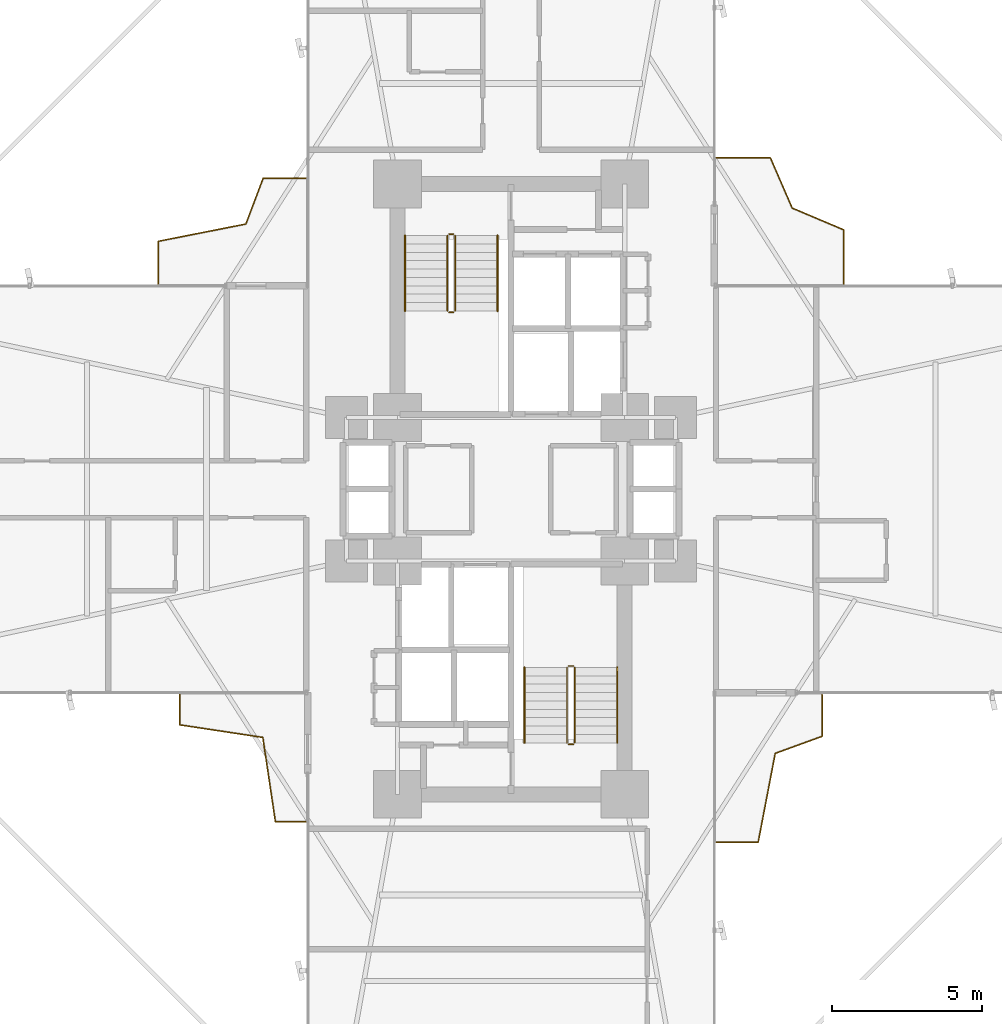
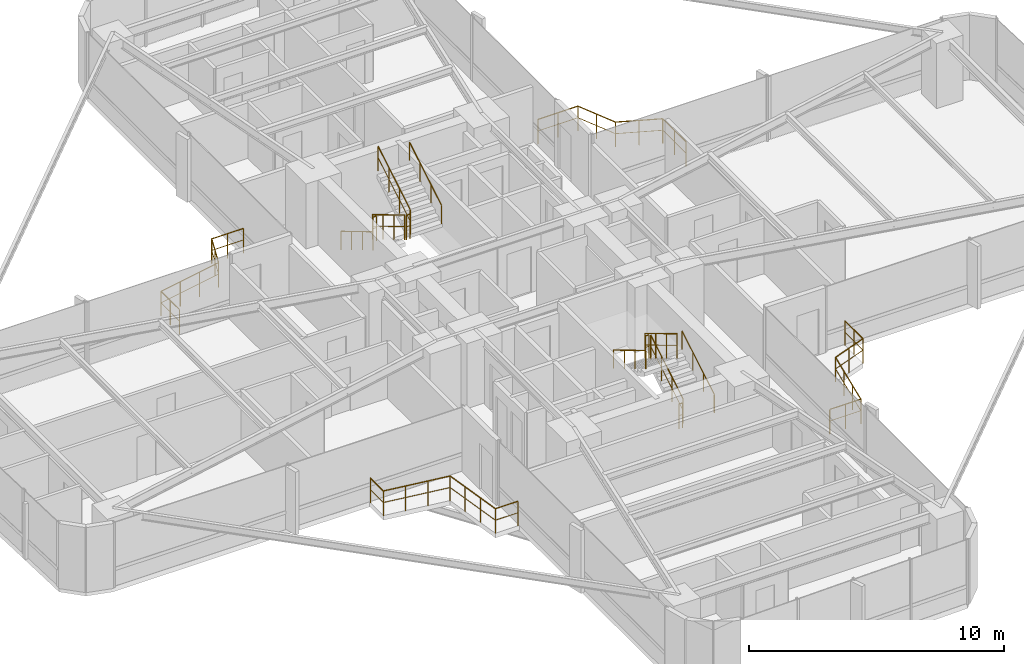
# One storey, part 26 of 26: 16 railings.
"""IFC4 building model written with IfcOpenShell, lengths in metres."""

from ifc_helpers import new_model, si_unit, direction, frame, origin, origin_2d, place, context, subcontext, project, spatial, circle, extrude, material, type_object, element, save


model = new_model("IFC4")

# Units and contexts
model_context = context("Model", 3, precision=1e-05, world=origin(), true_north=direction((0.0, 1.0)))
body_context = subcontext(model_context, "Body", "Model", "MODEL_VIEW")
ifc_project = project(units=[si_unit("LENGTHUNIT", "METRE"), si_unit("AREAUNIT", "SQUARE_METRE"), si_unit("VOLUMEUNIT", "CUBIC_METRE"), si_unit("PLANEANGLEUNIT", "RADIAN"), si_unit("MASSUNIT", "GRAM", prefix="KILO")], contexts=[model_context])

# Site, building, storey
site_placement = place(None, origin())
site = spatial("IfcSite", under=ifc_project, at=site_placement, CompositionType="ELEMENT")
building_placement = place(site_placement, origin())
building = spatial("IfcBuilding", under=site, at=building_placement, Name="Sahyath Konkavel Grand Hotel", CompositionType="ELEMENT")
storey_placement = place(building_placement, frame((0.0, 0.0, 29.800048828125)))
storey = spatial("IfcBuildingStorey", under=building, at=storey_placement, Name="L07", CompositionType="ELEMENT", Elevation=29.800048828125)

# Railings
ifc_material_1 = material(Name="Anodised Bronze Aluminium", Category="aluminium")
railing_type_1 = type_object("IfcRailingType", Name="RLG-BALC-1200", PredefinedType="GUARDRAIL", material=ifc_material_1)
railing_1_placement = place(storey_placement, frame((11.1220703125, 6.860107421875, 0.0)))
element("IfcRailing", 1, at=railing_1_placement, inside=storey, type_object=railing_type_1, Name="L07 Winter-Garden Guard NE", PredefinedType="GUARDRAIL", context=body_context, shape_type="SweptSolid", body=[
    extrude(circle(Radius=0.02392578125, at=origin_2d()), frame((0.0, 0.001953125, 1.17578125), z_axis=(0.0, 1.0, 0.0), x_axis=(-1.0, 0.0, 0.0)), (0.0, 0.0, 1.0), 1.80810546875),
    extrude(circle(Radius=0.01416015625, at=origin_2d()), frame((0.0, 0.001953125, 0.6240234375), z_axis=(0.0, 1.0, 0.0), x_axis=(-1.0, 0.0, 0.0)), (0.0, 0.0, 1.0), 1.80810546875),
    extrude(circle(Radius=0.02392578125, at=origin_2d()), frame((-0.001953125, 1.812744140625, 1.17578125), z_axis=(-0.921125773801, 0.389265088134, 0.0), x_axis=(-0.389265088134, -0.921125773801, 0.0)), (0.0, 0.0, 1.0), 1.86572265625),
    extrude(circle(Radius=0.01416015625, at=origin_2d()), frame((-0.001953125, 1.812744140625, 0.6240234375), z_axis=(-0.921125773801, 0.389265088134, 0.0), x_axis=(-0.389265088134, -0.921125773801, 0.0)), (0.0, 0.0, 1.0), 1.86572265625),
    extrude(circle(Radius=0.02392578125, at=origin_2d()), frame((-1.722900390625, 2.541748046875, 1.17578125), z_axis=(-0.397910841595, 0.91742409067, 0.0), x_axis=(-0.91742409067, -0.397910841595, 0.0)), (0.0, 0.0, 1.0), 1.824951171875),
    extrude(circle(Radius=0.01416015625, at=origin_2d()), frame((-1.722900390625, 2.541748046875, 0.6240234375), z_axis=(-0.397910841595, 0.91742409067, 0.0), x_axis=(-0.91742409067, -0.397910841595, 0.0)), (0.0, 0.0, 1.0), 1.824951171875),
    extrude(circle(Radius=0.02392578125, at=origin_2d()), frame((-2.451904296875, 4.2177734375, 1.17578125), z_axis=(-1.0, 0.0, 0.0), x_axis=(0.0, -1.0, 0.0)), (0.0, 0.0, 1.0), 1.80810546875),
    extrude(circle(Radius=0.01416015625, at=origin_2d()), frame((-2.451904296875, 4.2177734375, 0.6240234375), z_axis=(-1.0, 0.0, 0.0), x_axis=(0.0, -1.0, 0.0)), (0.0, 0.0, 1.0), 1.80810546875),
    extrude(circle(Radius=0.02099609375, at=origin_2d()), origin(), (0.0, 0.0, 1.0), 1.15185546875),
    extrude(circle(Radius=0.02099609375, at=origin_2d()), frame((0.0, 0.906005859375, 0.0)), (0.0, 0.0, 1.0), 1.15185546875),
    extrude(circle(Radius=0.02099609375, at=origin_2d()), frame((0.0, 1.81201171875, 0.0)), (0.0, 0.0, 1.0), 1.15185546875),
    extrude(circle(Radius=0.02099609375, at=origin_2d()), frame((-0.861083984375, 2.17578125, 0.0)), (0.0, 0.0, 1.0), 1.15185546875),
    extrude(circle(Radius=0.02099609375, at=origin_2d()), frame((-1.72216796875, 2.539794921875, 0.0)), (0.0, 0.0, 1.0), 1.15185546875),
    extrude(circle(Radius=0.02099609375, at=origin_2d()), frame((-2.0859375, 3.37890625, 0.0)), (0.0, 0.0, 1.0), 1.15185546875),
    extrude(circle(Radius=0.02099609375, at=origin_2d()), frame((-2.449951171875, 4.2177734375, 0.0)), (0.0, 0.0, 1.0), 1.15185546875),
    extrude(circle(Radius=0.02099609375, at=origin_2d()), frame((-3.35595703125, 4.2177734375, 0.0)), (0.0, 0.0, 1.0), 1.15185546875),
    extrude(circle(Radius=0.02099609375, at=origin_2d()), frame((-4.261962890625, 4.2177734375, 0.0)), (0.0, 0.0, 1.0), 1.15185546875),
])
railing_2_placement = place(storey_placement, frame((-6.860107421875, 10.39990234375, 0.0)))
element("IfcRailing", 2, at=railing_2_placement, inside=storey, type_object=railing_type_1, Name="L07 Winter-Garden Guard NW", PredefinedType="GUARDRAIL", context=body_context, shape_type="SweptSolid", body=[
    extrude(circle(Radius=0.02392578125, at=origin_2d()), frame((-0.001953125, 0.0, 1.17578125), z_axis=(-1.0, 0.0, 0.0), x_axis=(0.0, -1.0, 0.0)), (0.0, 0.0, 1.0), 1.424072265625),
    extrude(circle(Radius=0.01416015625, at=origin_2d()), frame((-0.001953125, 0.0, 0.6240234375), z_axis=(-1.0, 0.0, 0.0), x_axis=(0.0, -1.0, 0.0)), (0.0, 0.0, 1.0), 1.424072265625),
    extrude(circle(Radius=0.02392578125, at=origin_2d()), frame((-1.4287109375, -0.001953125, 1.17578125), z_axis=(-0.35326148787, -0.935524623507, 0.0), x_axis=(0.935524623507, -0.35326148787, 0.0)), (0.0, 0.0, 1.0), 1.634521484375),
    extrude(circle(Radius=0.01416015625, at=origin_2d()), frame((-1.4287109375, -0.001953125, 0.6240234375), z_axis=(-0.35326148787, -0.935524623507, 0.0), x_axis=(0.935524623507, -0.35326148787, 0.0)), (0.0, 0.0, 1.0), 1.634521484375),
    extrude(circle(Radius=0.02392578125, at=origin_2d()), frame((-2.0087890625, -1.533447265625, 1.17578125), z_axis=(-0.981076885833, -0.193618553047, 0.0), x_axis=(0.193618553047, -0.981076885833, 0.0)), (0.0, 0.0, 1.0), 2.985595703125),
    extrude(circle(Radius=0.01416015625, at=origin_2d()), frame((-2.0087890625, -1.533447265625, 0.6240234375), z_axis=(-0.981076885833, -0.193618553047, 0.0), x_axis=(0.193618553047, -0.981076885833, 0.0)), (0.0, 0.0, 1.0), 2.985595703125),
    extrude(circle(Radius=0.02392578125, at=origin_2d()), frame((-4.93994140625, -2.11376953125, 1.17578125), z_axis=(0.0, -1.0, 0.0), x_axis=(1.0, 0.0, 0.0)), (0.0, 0.0, 1.0), 1.424072265625),
    extrude(circle(Radius=0.01416015625, at=origin_2d()), frame((-4.93994140625, -2.11376953125, 0.6240234375), z_axis=(0.0, -1.0, 0.0), x_axis=(1.0, 0.0, 0.0)), (0.0, 0.0, 1.0), 1.424072265625),
    extrude(circle(Radius=0.02099609375, at=origin_2d()), origin(), (0.0, 0.0, 1.0), 1.15185546875),
    extrude(circle(Radius=0.02099609375, at=origin_2d()), frame((-0.7138671875, 0.0, 0.0)), (0.0, 0.0, 1.0), 1.15185546875),
    extrude(circle(Radius=0.02099609375, at=origin_2d()), frame((-1.427978515625, 0.0, 0.0)), (0.0, 0.0, 1.0), 1.15185546875),
    extrude(circle(Radius=0.02099609375, at=origin_2d()), frame((-1.71728515625, -0.7666015625, 0.0)), (0.0, 0.0, 1.0), 1.15185546875),
    extrude(circle(Radius=0.02099609375, at=origin_2d()), frame((-2.0068359375, -1.532958984375, 0.0)), (0.0, 0.0, 1.0), 1.15185546875),
    extrude(circle(Radius=0.02099609375, at=origin_2d()), frame((-2.984619140625, -1.725830078125, 0.0)), (0.0, 0.0, 1.0), 1.15185546875),
    extrude(circle(Radius=0.02099609375, at=origin_2d()), frame((-3.962158203125, -1.9189453125, 0.0)), (0.0, 0.0, 1.0), 1.15185546875),
    extrude(circle(Radius=0.02099609375, at=origin_2d()), frame((-4.93994140625, -2.11181640625, 0.0)), (0.0, 0.0, 1.0), 1.15185546875),
    extrude(circle(Radius=0.02099609375, at=origin_2d()), frame((-4.93994140625, -2.82568359375, 0.0)), (0.0, 0.0, 1.0), 1.15185546875),
    extrude(circle(Radius=0.02099609375, at=origin_2d()), frame((-4.93994140625, -3.539794921875, 0.0)), (0.0, 0.0, 1.0), 1.15185546875),
])
railing_3_placement = place(storey_placement, frame((-11.077880859375, -6.860107421875, 0.0)))
element("IfcRailing", 3, at=railing_3_placement, inside=storey, type_object=railing_type_1, Name="L07 Winter-Garden Guard SW", PredefinedType="GUARDRAIL", context=body_context, shape_type="SweptSolid", body=[
    extrude(circle(Radius=0.02392578125, at=origin_2d()), frame((0.0, -0.001953125, 1.17578125), z_axis=(0.0, -1.0, 0.0), x_axis=(1.0, 0.0, 0.0)), (0.0, 0.0, 1.0), 1.015869140625),
    extrude(circle(Radius=0.01416015625, at=origin_2d()), frame((0.0, -0.001953125, 0.6240234375), z_axis=(0.0, -1.0, 0.0), x_axis=(1.0, 0.0, 0.0)), (0.0, 0.0, 1.0), 1.015869140625),
    extrude(circle(Radius=0.02392578125, at=origin_2d()), frame((0.001953125, -1.02001953125, 1.17578125), z_axis=(0.988753306372, -0.149555672373, 0.0), x_axis=(0.149555672373, 0.988753306372, 0.0)), (0.0, 0.0, 1.0), 2.805419921875),
    extrude(circle(Radius=0.01416015625, at=origin_2d()), frame((0.001953125, -1.02001953125, 0.6240234375), z_axis=(0.988753306372, -0.149555672373, 0.0), x_axis=(0.149555672373, 0.988753306372, 0.0)), (0.0, 0.0, 1.0), 2.805419921875),
    extrude(circle(Radius=0.02392578125, at=origin_2d()), frame((2.778076171875, -1.44189453125, 1.17578125), z_axis=(0.147264993872, -0.989097073891, 0.0), x_axis=(0.989097073891, 0.147264993872, 0.0)), (0.0, 0.0, 1.0), 2.84912109375),
    extrude(circle(Radius=0.01416015625, at=origin_2d()), frame((2.778076171875, -1.44189453125, 0.6240234375), z_axis=(0.147264993872, -0.989097073891, 0.0), x_axis=(0.989097073891, 0.147264993872, 0.0)), (0.0, 0.0, 1.0), 2.84912109375),
    extrude(circle(Radius=0.02392578125, at=origin_2d()), frame((3.199951171875, -4.261962890625, 1.17578125), z_axis=(1.0, 0.0, 0.0), x_axis=(0.0, 1.0, 0.0)), (0.0, 0.0, 1.0), 1.015869140625),
    extrude(circle(Radius=0.01416015625, at=origin_2d()), frame((3.199951171875, -4.261962890625, 0.6240234375), z_axis=(1.0, 0.0, 0.0), x_axis=(0.0, 1.0, 0.0)), (0.0, 0.0, 1.0), 1.015869140625),
    extrude(circle(Radius=0.02099609375, at=origin_2d()), origin(), (0.0, 0.0, 1.0), 1.15185546875),
    extrude(circle(Radius=0.02099609375, at=origin_2d()), frame((0.0, -1.019775390625, 0.0)), (0.0, 0.0, 1.0), 1.15185546875),
    extrude(circle(Radius=0.02099609375, at=origin_2d()), frame((0.926025390625, -1.159912109375, 0.0)), (0.0, 0.0, 1.0), 1.15185546875),
    extrude(circle(Radius=0.02099609375, at=origin_2d()), frame((1.851806640625, -1.2998046875, 0.0)), (0.0, 0.0, 1.0), 1.15185546875),
    extrude(circle(Radius=0.02099609375, at=origin_2d()), frame((2.77783203125, -1.43994140625, 0.0)), (0.0, 0.0, 1.0), 1.15185546875),
    extrude(circle(Radius=0.02099609375, at=origin_2d()), frame((2.91796875, -2.380615234375, 0.0)), (0.0, 0.0, 1.0), 1.15185546875),
    extrude(circle(Radius=0.02099609375, at=origin_2d()), frame((3.057861328125, -3.3212890625, 0.0)), (0.0, 0.0, 1.0), 1.15185546875),
    extrude(circle(Radius=0.02099609375, at=origin_2d()), frame((3.197998046875, -4.261962890625, 0.0)), (0.0, 0.0, 1.0), 1.15185546875),
    extrude(circle(Radius=0.02099609375, at=origin_2d()), frame((4.2177734375, -4.261962890625, 0.0)), (0.0, 0.0, 1.0), 1.15185546875),
])
railing_4_placement = place(storey_placement, frame((6.860107421875, -11.800048828125, 0.0)))
element("IfcRailing", 4, at=railing_4_placement, inside=storey, type_object=railing_type_1, Name="L07 Winter-Garden Guard SE", PredefinedType="GUARDRAIL", context=body_context, shape_type="SweptSolid", body=[
    extrude(circle(Radius=0.02392578125, at=origin_2d()), frame((0.001953125, 0.0, 1.17578125), z_axis=(1.0, 0.0, 0.0), x_axis=(0.0, 1.0, 0.0)), (0.0, 0.0, 1.0), 1.39990234375),
    extrude(circle(Radius=0.01416015625, at=origin_2d()), frame((0.001953125, 0.0, 0.6240234375), z_axis=(1.0, 0.0, 0.0), x_axis=(0.0, 1.0, 0.0)), (0.0, 0.0, 1.0), 1.39990234375),
    extrude(circle(Radius=0.02392578125, at=origin_2d()), frame((1.404296875, 0.001953125, 1.17578125), z_axis=(0.188370804623, 0.982097978801, 0.0), x_axis=(-0.982097978801, 0.188370804623, 0.0)), (0.0, 0.0, 1.0), 3.01708984375),
    extrude(circle(Radius=0.01416015625, at=origin_2d()), frame((1.404296875, 0.001953125, 0.6240234375), z_axis=(0.188370804623, 0.982097978801, 0.0), x_axis=(-0.982097978801, 0.188370804623, 0.0)), (0.0, 0.0, 1.0), 3.01708984375),
    extrude(circle(Radius=0.02392578125, at=origin_2d()), frame((1.974853515625, 2.9677734375, 1.17578125), z_axis=(0.939925907461, 0.341378512043, 0.0), x_axis=(-0.341378512043, 0.939925907461, 0.0)), (0.0, 0.0, 1.0), 1.6630859375),
    extrude(circle(Radius=0.01416015625, at=origin_2d()), frame((1.974853515625, 2.9677734375, 0.6240234375), z_axis=(0.939925907461, 0.341378512043, 0.0), x_axis=(-0.341378512043, 0.939925907461, 0.0)), (0.0, 0.0, 1.0), 1.6630859375),
    extrude(circle(Radius=0.02392578125, at=origin_2d()), frame((3.539794921875, 3.5380859375, 1.17578125), z_axis=(0.0, 1.0, 0.0), x_axis=(-1.0, 0.0, 0.0)), (0.0, 0.0, 1.0), 1.39990234375),
    extrude(circle(Radius=0.01416015625, at=origin_2d()), frame((3.539794921875, 3.5380859375, 0.6240234375), z_axis=(0.0, 1.0, 0.0), x_axis=(-1.0, 0.0, 0.0)), (0.0, 0.0, 1.0), 1.39990234375),
    extrude(circle(Radius=0.02099609375, at=origin_2d()), origin(), (0.0, 0.0, 1.0), 1.15185546875),
    extrude(circle(Radius=0.02099609375, at=origin_2d()), frame((0.701904296875, 0.0, 0.0)), (0.0, 0.0, 1.0), 1.15185546875),
    extrude(circle(Radius=0.02099609375, at=origin_2d()), frame((1.40380859375, 0.0, 0.0)), (0.0, 0.0, 1.0), 1.15185546875),
    extrude(circle(Radius=0.02099609375, at=origin_2d()), frame((1.593505859375, 0.989013671875, 0.0)), (0.0, 0.0, 1.0), 1.15185546875),
    extrude(circle(Radius=0.02099609375, at=origin_2d()), frame((1.783203125, 1.97802734375, 0.0)), (0.0, 0.0, 1.0), 1.15185546875),
    extrude(circle(Radius=0.02099609375, at=origin_2d()), frame((1.972900390625, 2.967041015625, 0.0)), (0.0, 0.0, 1.0), 1.15185546875),
    extrude(circle(Radius=0.02099609375, at=origin_2d()), frame((2.75634765625, 3.25146484375, 0.0)), (0.0, 0.0, 1.0), 1.15185546875),
    extrude(circle(Radius=0.02099609375, at=origin_2d()), frame((3.539794921875, 3.5361328125, 0.0)), (0.0, 0.0, 1.0), 1.15185546875),
    extrude(circle(Radius=0.02099609375, at=origin_2d()), frame((3.539794921875, 4.238037109375, 0.0)), (0.0, 0.0, 1.0), 1.15185546875),
    extrude(circle(Radius=0.02099609375, at=origin_2d()), frame((3.539794921875, 4.93994140625, 0.0)), (0.0, 0.0, 1.0), 1.15185546875),
])
ifc_material_2 = material(Name="Steel E350", Category="steel")
railing_type_2 = type_object("IfcRailingType", Name="RLG-STAIR-GRD", PredefinedType="GUARDRAIL", material=ifc_material_2)
railing_5_placement = place(storey_placement, frame((-2.1298828125, 8.47998046875, 0.16748046875)))
element("IfcRailing", 5, at=railing_5_placement, inside=storey, type_object=railing_type_2, Name="L07 ST-1 stair guard 1", PredefinedType="GUARDRAIL", context=body_context, shape_type="SweptSolid", body=[
    extrude(circle(Radius=0.02392578125, at=origin_2d()), frame((0.0, -0.001708984375, 1.177001953125), z_axis=(0.0, -0.858159760407, 0.513382728203), x_axis=(1.0, 0.0, 0.0)), (0.0, 0.0, 1.0), 2.9326171875),
    extrude(circle(Radius=0.01416015625, at=origin_2d()), frame((0.0, -0.001708984375, 0.625), z_axis=(0.0, -0.858159760407, 0.513382728203), x_axis=(1.0, 0.0, 0.0)), (0.0, 0.0, 1.0), 2.9326171875),
    extrude(circle(Radius=0.02099609375, at=origin_2d()), origin(), (0.0, 0.0, 1.0), 1.15185546875),
    extrude(circle(Radius=0.02099609375, at=origin_2d()), frame((0.0, -0.840087890625, 0.50244140625)), (0.0, 0.0, 1.0), 1.15185546875),
    extrude(circle(Radius=0.02099609375, at=origin_2d()), frame((0.0, -1.679931640625, 1.005126953125)), (0.0, 0.0, 1.0), 1.15185546875),
    extrude(circle(Radius=0.02099609375, at=origin_2d()), frame((0.0, -2.52001953125, 1.507568359375)), (0.0, 0.0, 1.0), 1.15185546875),
])
railing_6_placement = place(storey_placement, frame((-2.080078125, 5.909912109375, 1.675048828125)))
element("IfcRailing", 6, at=railing_6_placement, inside=storey, type_object=railing_type_2, Name="L07 ST-1 stair guard 2", PredefinedType="GUARDRAIL", context=body_context, shape_type="SweptSolid", body=[
    extrude(circle(Radius=0.02392578125, at=origin_2d()), frame((0.001953125, 0.0, 1.17578125), z_axis=(1.0, 0.0, 0.0), x_axis=(0.0, 1.0, 0.0)), (0.0, 0.0, 1.0), 0.15625),
    extrude(circle(Radius=0.01416015625, at=origin_2d()), frame((0.001953125, 0.0, 0.6240234375), z_axis=(1.0, 0.0, 0.0), x_axis=(0.0, 1.0, 0.0)), (0.0, 0.0, 1.0), 0.15625),
    extrude(circle(Radius=0.02099609375, at=origin_2d()), origin(), (0.0, 0.0, 1.0), 1.15185546875),
    extrude(circle(Radius=0.02099609375, at=origin_2d()), frame((0.16015625, 0.0, 0.0)), (0.0, 0.0, 1.0), 1.15185546875),
])
railing_7_placement = place(storey_placement, frame((-1.8701171875, 5.9599609375, 1.842529296875)))
element("IfcRailing", 7, at=railing_7_placement, inside=storey, type_object=railing_type_2, Name="L07 ST-1 stair guard 3", PredefinedType="GUARDRAIL", context=body_context, shape_type="SweptSolid", body=[
    extrude(circle(Radius=0.02392578125, at=origin_2d()), frame((0.0, 0.001708984375, 1.177001953125), z_axis=(0.0, 0.858196387827, 0.513321497621), x_axis=(-1.0, 0.0, 0.0)), (0.0, 0.0, 1.0), 2.932373046875),
    extrude(circle(Radius=0.01416015625, at=origin_2d()), frame((0.0, 0.001708984375, 0.625), z_axis=(0.0, 0.858196387827, 0.513321497621), x_axis=(-1.0, 0.0, 0.0)), (0.0, 0.0, 1.0), 2.932373046875),
    extrude(circle(Radius=0.02099609375, at=origin_2d()), origin(), (0.0, 0.0, 1.0), 1.15185546875),
    extrude(circle(Radius=0.02099609375, at=origin_2d()), frame((0.0, 0.840087890625, 0.50244140625)), (0.0, 0.0, 1.0), 1.15185546875),
    extrude(circle(Radius=0.02099609375, at=origin_2d()), frame((0.0, 1.679931640625, 1.0048828125)), (0.0, 0.0, 1.0), 1.15185546875),
    extrude(circle(Radius=0.02099609375, at=origin_2d()), frame((0.0, 2.52001953125, 1.50732421875)), (0.0, 0.0, 1.0), 1.15185546875),
])
railing_8_placement = place(storey_placement, frame((-2.080078125, 8.530029296875, 0.0)))
element("IfcRailing", 8, at=railing_8_placement, inside=storey, type_object=railing_type_2, Name="L07 ST-1 stair guard 4", PredefinedType="GUARDRAIL", context=body_context, shape_type="SweptSolid", body=[
    extrude(circle(Radius=0.02392578125, at=origin_2d()), frame((0.001953125, 0.0, 1.17578125), z_axis=(1.0, 0.0, 0.0), x_axis=(0.0, 1.0, 0.0)), (0.0, 0.0, 1.0), 0.15625),
    extrude(circle(Radius=0.01416015625, at=origin_2d()), frame((0.001953125, 0.0, 0.6240234375), z_axis=(1.0, 0.0, 0.0), x_axis=(0.0, 1.0, 0.0)), (0.0, 0.0, 1.0), 0.15625),
    extrude(circle(Radius=0.02099609375, at=origin_2d()), origin(), (0.0, 0.0, 1.0), 1.15185546875),
    extrude(circle(Radius=0.02099609375, at=origin_2d()), frame((0.16015625, 0.0, 0.0)), (0.0, 0.0, 1.0), 1.15185546875),
])
railing_9_placement = place(storey_placement, frame((2.1298828125, -8.47998046875, 0.16748046875)))
element("IfcRailing", 9, at=railing_9_placement, inside=storey, type_object=railing_type_2, Name="L07 ST-2 stair guard 1", PredefinedType="GUARDRAIL", context=body_context, shape_type="SweptSolid", body=[
    extrude(circle(Radius=0.02392578125, at=origin_2d()), frame((0.0, 0.001708984375, 1.177001953125), z_axis=(0.0, 0.858159760407, 0.513382728203), x_axis=(-1.0, 0.0, 0.0)), (0.0, 0.0, 1.0), 2.9326171875),
    extrude(circle(Radius=0.01416015625, at=origin_2d()), frame((0.0, 0.001708984375, 0.625), z_axis=(0.0, 0.858159760407, 0.513382728203), x_axis=(-1.0, 0.0, 0.0)), (0.0, 0.0, 1.0), 2.9326171875),
    extrude(circle(Radius=0.02099609375, at=origin_2d()), origin(), (0.0, 0.0, 1.0), 1.15185546875),
    extrude(circle(Radius=0.02099609375, at=origin_2d()), frame((0.0, 0.840087890625, 0.50244140625)), (0.0, 0.0, 1.0), 1.15185546875),
    extrude(circle(Radius=0.02099609375, at=origin_2d()), frame((0.0, 1.679931640625, 1.005126953125)), (0.0, 0.0, 1.0), 1.15185546875),
    extrude(circle(Radius=0.02099609375, at=origin_2d()), frame((0.0, 2.52001953125, 1.507568359375)), (0.0, 0.0, 1.0), 1.15185546875),
])
railing_10_placement = place(storey_placement, frame((2.080078125, -5.909912109375, 1.675048828125)))
element("IfcRailing", 10, at=railing_10_placement, inside=storey, type_object=railing_type_2, Name="L07 ST-2 stair guard 2", PredefinedType="GUARDRAIL", context=body_context, shape_type="SweptSolid", body=[
    extrude(circle(Radius=0.02392578125, at=origin_2d()), frame((-0.001953125, 0.0, 1.17578125), z_axis=(-1.0, 0.0, 0.0), x_axis=(0.0, -1.0, 0.0)), (0.0, 0.0, 1.0), 0.15625),
    extrude(circle(Radius=0.01416015625, at=origin_2d()), frame((-0.001953125, 0.0, 0.6240234375), z_axis=(-1.0, 0.0, 0.0), x_axis=(0.0, -1.0, 0.0)), (0.0, 0.0, 1.0), 0.15625),
    extrude(circle(Radius=0.02099609375, at=origin_2d()), origin(), (0.0, 0.0, 1.0), 1.15185546875),
    extrude(circle(Radius=0.02099609375, at=origin_2d()), frame((-0.16015625, 0.0, 0.0)), (0.0, 0.0, 1.0), 1.15185546875),
])
railing_11_placement = place(storey_placement, frame((1.8701171875, -5.9599609375, 1.842529296875)))
element("IfcRailing", 11, at=railing_11_placement, inside=storey, type_object=railing_type_2, Name="L07 ST-2 stair guard 3", PredefinedType="GUARDRAIL", context=body_context, shape_type="SweptSolid", body=[
    extrude(circle(Radius=0.02392578125, at=origin_2d()), frame((0.0, -0.001708984375, 1.177001953125), z_axis=(0.0, -0.858196387827, 0.513321497621), x_axis=(1.0, 0.0, 0.0)), (0.0, 0.0, 1.0), 2.932373046875),
    extrude(circle(Radius=0.01416015625, at=origin_2d()), frame((0.0, -0.001708984375, 0.625), z_axis=(0.0, -0.858196387827, 0.513321497621), x_axis=(1.0, 0.0, 0.0)), (0.0, 0.0, 1.0), 2.932373046875),
    extrude(circle(Radius=0.02099609375, at=origin_2d()), origin(), (0.0, 0.0, 1.0), 1.15185546875),
    extrude(circle(Radius=0.02099609375, at=origin_2d()), frame((0.0, -0.840087890625, 0.50244140625)), (0.0, 0.0, 1.0), 1.15185546875),
    extrude(circle(Radius=0.02099609375, at=origin_2d()), frame((0.0, -1.679931640625, 1.0048828125)), (0.0, 0.0, 1.0), 1.15185546875),
    extrude(circle(Radius=0.02099609375, at=origin_2d()), frame((0.0, -2.52001953125, 1.50732421875)), (0.0, 0.0, 1.0), 1.15185546875),
])
railing_12_placement = place(storey_placement, frame((2.080078125, -8.530029296875, 0.0)))
element("IfcRailing", 12, at=railing_12_placement, inside=storey, type_object=railing_type_2, Name="L07 ST-2 stair guard 4", PredefinedType="GUARDRAIL", context=body_context, shape_type="SweptSolid", body=[
    extrude(circle(Radius=0.02392578125, at=origin_2d()), frame((-0.001953125, 0.0, 1.17578125), z_axis=(-1.0, 0.0, 0.0), x_axis=(0.0, -1.0, 0.0)), (0.0, 0.0, 1.0), 0.15625),
    extrude(circle(Radius=0.01416015625, at=origin_2d()), frame((-0.001953125, 0.0, 0.6240234375), z_axis=(-1.0, 0.0, 0.0), x_axis=(0.0, -1.0, 0.0)), (0.0, 0.0, 1.0), 0.15625),
    extrude(circle(Radius=0.02099609375, at=origin_2d()), origin(), (0.0, 0.0, 1.0), 1.15185546875),
    extrude(circle(Radius=0.02099609375, at=origin_2d()), frame((-0.16015625, 0.0, 0.0)), (0.0, 0.0, 1.0), 1.15185546875),
])
railing_type_3 = type_object("IfcRailingType", Name="RLG-STAIR-HND", PredefinedType="HANDRAIL", material=ifc_material_1)
railing_13_placement = place(storey_placement, frame((-3.550048828125, 8.47998046875, 0.16748046875)))
element("IfcRailing", 13, at=railing_13_placement, inside=storey, type_object=railing_type_3, Name="L07 ST-1 stair handrail 1", PredefinedType="HANDRAIL", context=body_context, shape_type="SweptSolid", body=[
    extrude(circle(Radius=0.02392578125, at=origin_2d()), frame((0.0, -0.001708984375, 0.876953125), z_axis=(0.0, -0.858159760407, 0.513382728203), x_axis=(1.0, 0.0, 0.0)), (0.0, 0.0, 1.0), 2.9326171875),
    extrude(circle(Radius=0.02099609375, at=origin_2d()), origin(), (0.0, 0.0, 1.0), 0.851806640625),
    extrude(circle(Radius=0.02099609375, at=origin_2d()), frame((0.0, -0.840087890625, 0.50244140625)), (0.0, 0.0, 1.0), 0.851806640625),
    extrude(circle(Radius=0.02099609375, at=origin_2d()), frame((0.0, -1.679931640625, 1.005126953125)), (0.0, 0.0, 1.0), 0.851806640625),
    extrude(circle(Radius=0.02099609375, at=origin_2d()), frame((0.0, -2.52001953125, 1.507568359375)), (0.0, 0.0, 1.0), 0.851806640625),
])
railing_14_placement = place(storey_placement, frame((-0.449951171875, 5.9599609375, 1.842529296875)))
element("IfcRailing", 14, at=railing_14_placement, inside=storey, type_object=railing_type_3, Name="L07 ST-1 stair handrail 2", PredefinedType="HANDRAIL", context=body_context, shape_type="SweptSolid", body=[
    extrude(circle(Radius=0.02392578125, at=origin_2d()), frame((0.0, 0.001708984375, 0.876953125), z_axis=(0.0, 0.858196387827, 0.513321497621), x_axis=(-1.0, 0.0, 0.0)), (0.0, 0.0, 1.0), 2.932373046875),
    extrude(circle(Radius=0.02099609375, at=origin_2d()), origin(), (0.0, 0.0, 1.0), 0.851806640625),
    extrude(circle(Radius=0.02099609375, at=origin_2d()), frame((0.0, 0.840087890625, 0.50244140625)), (0.0, 0.0, 1.0), 0.851806640625),
    extrude(circle(Radius=0.02099609375, at=origin_2d()), frame((0.0, 1.679931640625, 1.0048828125)), (0.0, 0.0, 1.0), 0.851806640625),
    extrude(circle(Radius=0.02099609375, at=origin_2d()), frame((0.0, 2.52001953125, 1.50732421875)), (0.0, 0.0, 1.0), 0.851806640625),
])
railing_15_placement = place(storey_placement, frame((3.550048828125, -8.47998046875, 0.16748046875)))
element("IfcRailing", 15, at=railing_15_placement, inside=storey, type_object=railing_type_3, Name="L07 ST-2 stair handrail 1", PredefinedType="HANDRAIL", context=body_context, shape_type="SweptSolid", body=[
    extrude(circle(Radius=0.02392578125, at=origin_2d()), frame((0.0, 0.001708984375, 0.876953125), z_axis=(0.0, 0.858159760407, 0.513382728203), x_axis=(-1.0, 0.0, 0.0)), (0.0, 0.0, 1.0), 2.9326171875),
    extrude(circle(Radius=0.02099609375, at=origin_2d()), origin(), (0.0, 0.0, 1.0), 0.851806640625),
    extrude(circle(Radius=0.02099609375, at=origin_2d()), frame((0.0, 0.840087890625, 0.50244140625)), (0.0, 0.0, 1.0), 0.851806640625),
    extrude(circle(Radius=0.02099609375, at=origin_2d()), frame((0.0, 1.679931640625, 1.005126953125)), (0.0, 0.0, 1.0), 0.851806640625),
    extrude(circle(Radius=0.02099609375, at=origin_2d()), frame((0.0, 2.52001953125, 1.507568359375)), (0.0, 0.0, 1.0), 0.851806640625),
])
railing_16_placement = place(storey_placement, frame((0.449951171875, -5.9599609375, 1.842529296875)))
element("IfcRailing", 16, at=railing_16_placement, inside=storey, type_object=railing_type_3, Name="L07 ST-2 stair handrail 2", PredefinedType="HANDRAIL", context=body_context, shape_type="SweptSolid", body=[
    extrude(circle(Radius=0.02392578125, at=origin_2d()), frame((0.0, -0.001708984375, 0.876953125), z_axis=(0.0, -0.858196387827, 0.513321497621), x_axis=(1.0, 0.0, 0.0)), (0.0, 0.0, 1.0), 2.932373046875),
    extrude(circle(Radius=0.02099609375, at=origin_2d()), origin(), (0.0, 0.0, 1.0), 0.851806640625),
    extrude(circle(Radius=0.02099609375, at=origin_2d()), frame((0.0, -0.840087890625, 0.50244140625)), (0.0, 0.0, 1.0), 0.851806640625),
    extrude(circle(Radius=0.02099609375, at=origin_2d()), frame((0.0, -1.679931640625, 1.0048828125)), (0.0, 0.0, 1.0), 0.851806640625),
    extrude(circle(Radius=0.02099609375, at=origin_2d()), frame((0.0, -2.52001953125, 1.50732421875)), (0.0, 0.0, 1.0), 0.851806640625),
])

save(model, "model.ifc")
